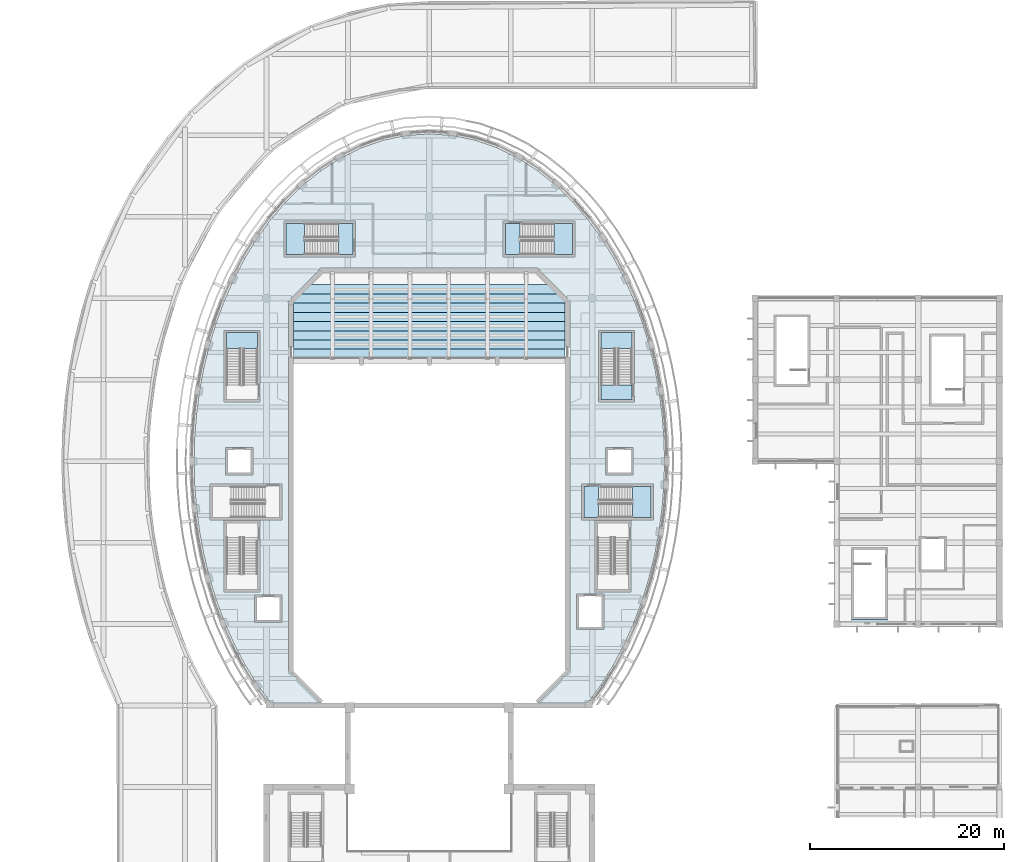
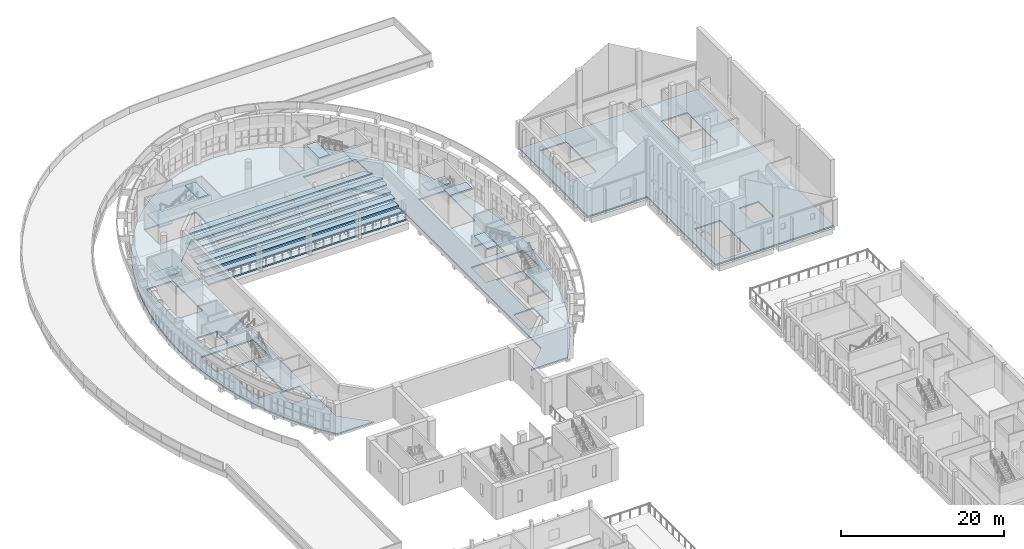
# One storey, part 7 of 79: 19 slabs, 5 elements without a shape of their own.
"""IFC4 building model written with IfcOpenShell, lengths in metres."""

from ifc_helpers import new_model, si_unit, direction, frame, origin, place, context, subcontext, project, spatial, polyline, outline, extrude, material, layer, layer_set, type_object, element, aggregate, save


model = new_model("IFC4")

# Units and contexts
model_context = context("Model", 3, precision=1e-05, world=origin(), true_north=direction((0.0, 1.0)))
body_context = subcontext(model_context, "Body", "Model", "MODEL_VIEW")
ifc_project = project(units=[si_unit("LENGTHUNIT", "METRE"), si_unit("AREAUNIT", "SQUARE_METRE"), si_unit("VOLUMEUNIT", "CUBIC_METRE"), si_unit("PLANEANGLEUNIT", "RADIAN"), si_unit("MASSUNIT", "GRAM", prefix="KILO")], contexts=[model_context])

# Site, building, storey
site_placement = place(None, origin())
site = spatial("IfcSite", under=ifc_project, at=site_placement, CompositionType="ELEMENT")
building_placement = place(site_placement, origin())
building = spatial("IfcBuilding", under=site, at=building_placement, Name="Larchfold Concert Hall", CompositionType="ELEMENT")
storey_placement = place(building_placement, frame((0.0, 0.0, 14.39990234375)))
storey = spatial("IfcBuildingStorey", under=building, at=storey_placement, Name="L03", CompositionType="ELEMENT", Elevation=14.39990234375)

# Slabs
ifc_material_1 = material(Name="Concrete C35/45", Category="concrete")
ifc_layer_1 = layer(ifc_material_1, 0.199951171875)
ifc_layer_set_1 = layer_set([ifc_layer_1], Name="Concrete C35/45")
slab_type_1 = type_object("IfcSlabType", Name="Slab 200", PredefinedType="FLOOR", material=ifc_layer_set_1)
slab_1_placement = place(storey_placement, frame((0.0, 0.0, -0.199951171875)))
element("IfcSlab", 1, at=slab_1_placement, inside=storey, type_object=slab_type_1, Name="Slab S0005", PredefinedType="FLOOR", context=body_context, shape_type="SweptSolid", body=[
    extrude(outline(polyline([(101.39990234375, 101.39990234375), (84.60009765625, 101.39990234375), (76.199951171875, 101.39990234375), (76.199951171875, 84.60009765625), (84.60009765625, 84.60009765625), (84.60009765625, 67.800048828125), (101.39990234375, 67.800048828125), (101.39990234375, 101.39990234375)]), holes=[polyline([(86.14990234375, 68.300048828125), (86.14990234375, 75.699951171875), (89.85009765625, 75.699951171875), (89.85009765625, 68.300048828125), (86.14990234375, 68.300048828125)]), polyline([(93.10009765625, 73.199951171875), (93.10009765625, 76.800048828125), (95.89990234375, 76.800048828125), (95.89990234375, 73.199951171875), (93.10009765625, 73.199951171875)]), polyline([(94.14990234375, 90.300048828125), (94.14990234375, 97.699951171875), (97.85009765625, 97.699951171875), (97.85009765625, 90.300048828125), (94.14990234375, 90.300048828125)]), polyline([(78.14990234375, 92.300048828125), (78.14990234375, 99.699951171875), (81.85009765625, 99.699951171875), (81.85009765625, 92.300048828125), (78.14990234375, 92.300048828125)])]), origin(), (0.0, 0.0, 1.0), 0.199951171875),
])
slab_2_placement = place(storey_placement, frame((0.0, 0.0, -0.199951171875)))
element("IfcSlab", 2, at=slab_2_placement, inside=storey, type_object=slab_type_1, Name="Slab S0007", PredefinedType="FLOOR", context=body_context, shape_type="SweptSolid", body=[
    extrude(outline(polyline([(24.913818359375, 61.515380859375), (26.27978515625, 59.64990234375), (31.45751953125, 59.64990234375), (28.078857421875, 63.02880859375), (28.070068359375, 101.10009765625), (31.478759765625, 104.521240234375), (53.699951171875, 104.530029296875), (57.121337890625, 101.121337890625), (57.130126953125, 63.050048828125), (53.742431640625, 59.64990234375), (58.92041015625, 59.64990234375), (60.286376953125, 61.515380859375), (61.56884765625, 63.580078125), (62.703125, 65.731201171875), (63.69287109375, 67.953369140625), (64.541748046875, 70.234375), (65.253662109375, 72.562255859375), (65.83203125, 74.927490234375), (66.27880859375, 77.321533203125), (66.5966796875, 79.736328125), (66.786865234375, 82.164794921875), (66.85009765625, 84.60009765625), (66.78759765625, 87.020263671875), (66.599853515625, 89.433837890625), (66.285888671875, 91.833984375), (65.844482421875, 94.2138671875), (65.273681640625, 96.5654296875), (64.570556640625, 98.88037109375), (63.732177734375, 101.149169921875), (62.75537109375, 103.360595703125), (61.635986328125, 105.502685546875), (60.3701171875, 107.5595703125), (58.953857421875, 109.514892578125), (57.384765625, 111.3466796875), (55.661376953125, 113.03173828125), (53.78564453125, 114.541748046875), (51.763671875, 115.844970703125), (49.60888671875, 116.907958984375), (47.34130859375, 117.697509765625), (44.992431640625, 118.1845703125), (42.60009765625, 118.349609375), (40.207763671875, 118.1845703125), (37.85888671875, 117.697509765625), (35.59130859375, 116.907958984375), (33.4365234375, 115.844970703125), (31.41455078125, 114.541748046875), (29.538818359375, 113.03173828125), (27.8154296875, 111.3466796875), (26.246337890625, 109.514892578125), (24.830078125, 107.5595703125), (23.564208984375, 105.502685546875), (22.44482421875, 103.360595703125), (21.468017578125, 101.149169921875), (20.629638671875, 98.88037109375), (19.926513671875, 96.5654296875), (19.355712890625, 94.2138671875), (18.914306640625, 91.833984375), (18.600341796875, 89.433837890625), (18.41259765625, 87.020263671875), (18.35009765625, 84.60009765625), (18.413330078125, 82.164794921875), (18.603515625, 79.736328125), (18.92138671875, 77.321533203125), (19.3681640625, 74.927490234375), (19.946533203125, 72.562255859375), (20.658447265625, 70.234375), (21.50732421875, 67.953369140625), (22.4970703125, 65.731201171875), (23.63134765625, 63.580078125), (24.913818359375, 61.515380859375)]), holes=[polyline([(24.60009765625, 70.800048828125), (27.39990234375, 70.800048828125), (27.39990234375, 68.0), (24.60009765625, 68.0), (24.60009765625, 70.800048828125)]), polyline([(25.14990234375, 78.5), (25.14990234375, 71.10009765625), (21.449951171875, 71.10009765625), (21.449951171875, 78.5), (25.14990234375, 78.5)]), polyline([(27.39990234375, 82.25), (27.39990234375, 78.550048828125), (20.0, 78.550048828125), (20.0, 82.25), (27.39990234375, 82.25)]), polyline([(21.60009765625, 86.0), (24.39990234375, 86.0), (24.39990234375, 83.199951171875), (21.60009765625, 83.199951171875), (21.60009765625, 86.0)]), polyline([(25.14990234375, 98.10009765625), (25.14990234375, 90.699951171875), (21.449951171875, 90.699951171875), (21.449951171875, 98.10009765625), (25.14990234375, 98.10009765625)]), polyline([(35.0, 109.35009765625), (35.0, 105.64990234375), (27.60009765625, 105.64990234375), (27.60009765625, 109.35009765625), (35.0, 109.35009765625)]), polyline([(57.800048828125, 70.89990234375), (60.60009765625, 70.89990234375), (60.60009765625, 67.300048828125), (57.800048828125, 67.300048828125), (57.800048828125, 70.89990234375)]), polyline([(63.39990234375, 78.5), (63.39990234375, 71.10009765625), (59.699951171875, 71.10009765625), (59.699951171875, 78.5), (63.39990234375, 78.5)]), polyline([(65.699951171875, 82.25), (65.699951171875, 78.550048828125), (58.300048828125, 78.550048828125), (58.300048828125, 82.25), (65.699951171875, 82.25)]), polyline([(60.800048828125, 86.0), (63.60009765625, 86.0), (63.60009765625, 83.199951171875), (60.800048828125, 83.199951171875), (60.800048828125, 86.0)]), polyline([(63.75, 98.10009765625), (63.75, 90.699951171875), (60.050048828125, 90.699951171875), (60.050048828125, 98.10009765625), (63.75, 98.10009765625)]), polyline([(57.60009765625, 109.35009765625), (57.60009765625, 105.64990234375), (50.199951171875, 105.64990234375), (50.199951171875, 109.35009765625), (57.60009765625, 109.35009765625)])]), origin(), (0.0, 0.0, 1.0), 0.199951171875),
])
ifc_material_2 = material(Name="Precast concrete C40/50", Category="concrete")
ifc_layer_2 = layer(ifc_material_2, 0.219970703125)
ifc_layer_set_2 = layer_set([ifc_layer_2], Name="Precast concrete C40/50")
slab_type_2 = type_object("IfcSlabType", Name="Slab 220 hall tier tread", PredefinedType="FLOOR", material=ifc_layer_set_2)
slab_3_placement = place(storey_placement, frame((0.0, 0.0, -0.219970703125)))
element("IfcSlab", 3, at=slab_3_placement, inside=storey, type_object=slab_type_2, Name="Tread T2-01", PredefinedType="FLOOR", context=body_context, shape_type="SweptSolid", body=[
    extrude(outline(polyline([(56.60009765625, 96.14990234375), (28.60009765625, 96.14990234375), (28.60009765625, 95.199951171875), (56.60009765625, 95.199951171875), (56.60009765625, 96.14990234375)])), origin(), (0.0, 0.0, 1.0), 0.219970703125),
])
slab_4_placement = place(storey_placement, frame((0.0, 0.0, 0.279052734375)))
element("IfcSlab", 4, at=slab_4_placement, inside=storey, type_object=slab_type_2, Name="Tread T2-02", PredefinedType="FLOOR", context=body_context, shape_type="SweptSolid", body=[
    extrude(outline(polyline([(56.60009765625, 97.10009765625), (28.60009765625, 97.10009765625), (28.60009765625, 96.14990234375), (56.60009765625, 96.14990234375), (56.60009765625, 97.10009765625)])), origin(), (0.0, 0.0, 1.0), 0.219970703125),
])
slab_5_placement = place(storey_placement, frame((0.0, 0.0, 0.656982421875)))
element("IfcSlab", 5, at=slab_5_placement, inside=storey, type_object=slab_type_2, Name="Tread T2-03", PredefinedType="FLOOR", context=body_context, shape_type="SweptSolid", body=[
    extrude(outline(polyline([(56.60009765625, 98.050048828125), (28.60009765625, 98.050048828125), (28.60009765625, 97.10009765625), (56.60009765625, 97.10009765625), (56.60009765625, 98.050048828125)])), origin(), (0.0, 0.0, 1.0), 0.22021484375),
])
slab_6_placement = place(storey_placement, frame((0.0, 0.0, 1.1650390625)))
element("IfcSlab", 6, at=slab_6_placement, inside=storey, type_object=slab_type_2, Name="Tread T2-04", PredefinedType="FLOOR", context=body_context, shape_type="SweptSolid", body=[
    extrude(outline(polyline([(56.60009765625, 99.0), (28.60009765625, 99.0), (28.60009765625, 98.050048828125), (56.60009765625, 98.050048828125), (56.60009765625, 99.0)])), origin(), (0.0, 0.0, 1.0), 0.219970703125),
])
slab_7_placement = place(storey_placement, frame((0.0, 0.0, 1.543212890625)))
element("IfcSlab", 7, at=slab_7_placement, inside=storey, type_object=slab_type_2, Name="Tread T2-05", PredefinedType="FLOOR", context=body_context, shape_type="SweptSolid", body=[
    extrude(outline(polyline([(56.60009765625, 99.949951171875), (28.60009765625, 99.949951171875), (28.60009765625, 99.0), (56.60009765625, 99.0), (56.60009765625, 99.949951171875)])), origin(), (0.0, 0.0, 1.0), 0.219970703125),
])
slab_8_placement = place(storey_placement, frame((0.0, 0.0, 2.06005859375)))
element("IfcSlab", 8, at=slab_8_placement, inside=storey, type_object=slab_type_2, Name="Tread T2-06", PredefinedType="FLOOR", context=body_context, shape_type="SweptSolid", body=[
    extrude(outline(polyline([(56.60009765625, 100.89990234375), (28.60009765625, 100.89990234375), (28.60009765625, 99.949951171875), (56.60009765625, 99.949951171875), (56.60009765625, 100.89990234375)])), origin(), (0.0, 0.0, 1.0), 0.219970703125),
])
slab_9_placement = place(storey_placement, frame((0.0, 0.0, 2.43701171875)))
element("IfcSlab", 9, at=slab_9_placement, inside=storey, type_object=slab_type_2, Name="Tread T2-07", PredefinedType="FLOOR", context=body_context, shape_type="SweptSolid", body=[
    extrude(outline(polyline([(55.75, 101.85009765625), (29.4501953125, 101.85009765625), (28.60009765625, 101.0), (28.60009765625, 100.89990234375), (56.60009765625, 100.89990234375), (56.60009765625, 101.0), (55.75, 101.85009765625)])), origin(), (0.0, 0.0, 1.0), 0.219970703125),
])
slab_10_placement = place(storey_placement, frame((0.0, 0.0, 2.963134765625)))
element("IfcSlab", 10, at=slab_10_placement, inside=storey, type_object=slab_type_2, Name="Tread T2-08", PredefinedType="FLOOR", context=body_context, shape_type="SweptSolid", body=[
    extrude(outline(polyline([(54.800048828125, 102.800048828125), (30.400146484375, 102.800048828125), (29.4501953125, 101.85009765625), (55.75, 101.85009765625), (54.800048828125, 102.800048828125)])), origin(), (0.0, 0.0, 1.0), 0.219970703125),
])

# Stair, slabs
ifc_material_3 = material(Name="Concrete C35/45", Category="concrete")
stair_type = type_object("IfcStairType", Name="Stair RC half-turn enclosed", PredefinedType="HALF_TURN_STAIR", material=ifc_material_3)
stair_1_placement = place(storey_placement, origin())
stair_1 = element("IfcStair", 11, at=stair_1_placement, inside=storey, type_object=stair_type, Name="Stair DS1", PredefinedType="HALF_TURN_STAIR")
ifc_material_4 = material(Name="Concrete C35/45", Category="concrete")
ifc_layer_3 = layer(ifc_material_4, 0.199951171875)
ifc_layer_set_3 = layer_set([ifc_layer_3], Name="Concrete C35/45")
slab_type_3 = type_object("IfcSlabType", Name="Stair landing RC 200", PredefinedType="LANDING", material=ifc_layer_set_3)
slab_11_placement = place(storey_placement, frame((0.0, 0.0, 2.2001953125)))
slab_11 = element("IfcSlab", 12, at=slab_11_placement, type_object=slab_type_3, Name="ST01 landing 1", PredefinedType="LANDING", context=body_context, shape_type="SweptSolid", body=[
    extrude(outline(polyline([(63.5, 96.22998046875), (63.5, 97.85009765625), (60.300048828125, 97.85009765625), (60.300048828125, 96.22998046875), (63.5, 96.22998046875)])), origin(), (0.0, 0.0, 1.0), 0.199951171875),
])
slab_12_placement = place(storey_placement, frame((0.0, 0.0, 4.60009765625)))
slab_12 = element("IfcSlab", 13, at=slab_12_placement, type_object=slab_type_3, Name="ST01 landing 2", PredefinedType="LANDING", context=body_context, shape_type="SweptSolid", body=[
    extrude(outline(polyline([(63.5, 90.949951171875), (63.5, 92.449951171875), (60.300048828125, 92.449951171875), (60.300048828125, 90.949951171875), (63.5, 90.949951171875)])), origin(), (0.0, 0.0, 1.0), 0.199951171875),
])
aggregate(stair_1, [slab_11, slab_12])

stair_2_placement = place(storey_placement, origin())
stair_2 = element("IfcStair", 14, at=stair_2_placement, inside=storey, type_object=stair_type, Name="Stair DS2", PredefinedType="HALF_TURN_STAIR")
slab_13_placement = place(storey_placement, frame((0.0, 0.0, 2.2001953125)))
slab_13 = element("IfcSlab", 15, at=slab_13_placement, type_object=slab_type_3, Name="ST02 landing 1", PredefinedType="LANDING", context=body_context, shape_type="SweptSolid", body=[
    extrude(outline(polyline([(55.4599609375, 105.89990234375), (57.35009765625, 105.89990234375), (57.35009765625, 109.099853515625), (55.4599609375, 109.099853515625), (55.4599609375, 105.89990234375)])), origin(), (0.0, 0.0, 1.0), 0.199951171875),
])
slab_14_placement = place(storey_placement, frame((0.0, 0.0, 4.60009765625)))
slab_14 = element("IfcSlab", 16, at=slab_14_placement, type_object=slab_type_3, Name="ST02 landing 2", PredefinedType="LANDING", context=body_context, shape_type="SweptSolid", body=[
    extrude(outline(polyline([(50.449951171875, 105.89990234375), (51.949951171875, 105.89990234375), (51.949951171875, 109.10009765625), (50.449951171875, 109.10009765625), (50.449951171875, 105.89990234375)])), origin(), (0.0, 0.0, 1.0), 0.199951171875),
])
aggregate(stair_2, [slab_13, slab_14])

stair_3_placement = place(storey_placement, origin())
stair_3 = element("IfcStair", 17, at=stair_3_placement, inside=storey, type_object=stair_type, Name="Stair DS3", PredefinedType="HALF_TURN_STAIR")
slab_15_placement = place(storey_placement, frame((0.0, 0.0, 2.2001953125)))
slab_15 = element("IfcSlab", 18, at=slab_15_placement, type_object=slab_type_3, Name="ST03 landing 1", PredefinedType="LANDING", context=body_context, shape_type="SweptSolid", body=[
    extrude(outline(polyline([(29.739990234375, 109.10009765625), (27.85009765625, 109.10009765625), (27.85009765625, 105.900146484375), (29.739990234375, 105.900146484375), (29.739990234375, 109.10009765625)])), origin(), (0.0, 0.0, 1.0), 0.199951171875),
])
slab_16_placement = place(storey_placement, frame((0.0, 0.0, 4.60009765625)))
slab_16 = element("IfcSlab", 19, at=slab_16_placement, type_object=slab_type_3, Name="ST03 landing 2", PredefinedType="LANDING", context=body_context, shape_type="SweptSolid", body=[
    extrude(outline(polyline([(34.75, 109.10009765625), (33.25, 109.10009765625), (33.25, 105.89990234375), (34.75, 105.89990234375), (34.75, 109.10009765625)])), origin(), (0.0, 0.0, 1.0), 0.199951171875),
])
aggregate(stair_3, [slab_15, slab_16])

# Stair, slab
stair_4_placement = place(storey_placement, origin())
stair_4 = element("IfcStair", 20, at=stair_4_placement, inside=storey, type_object=stair_type, Name="Stair DS4", PredefinedType="HALF_TURN_STAIR")
slab_17_placement = place(storey_placement, frame((0.0, 0.0, 2.2001953125)))
slab_17 = element("IfcSlab", 21, at=slab_17_placement, type_object=slab_type_3, Name="ST04 landing 1", PredefinedType="LANDING", context=body_context, shape_type="SweptSolid", body=[
    extrude(outline(polyline([(24.89990234375, 96.22998046875), (24.89990234375, 97.85009765625), (21.699951171875, 97.85009765625), (21.699951171875, 96.22998046875), (24.89990234375, 96.22998046875)])), origin(), (0.0, 0.0, 1.0), 0.199951171875),
])
aggregate(stair_4, [slab_17])

# Stair, slabs
stair_5_placement = place(storey_placement, origin())
stair_5 = element("IfcStair", 22, at=stair_5_placement, inside=storey, type_object=stair_type, Name="Stair DS8", PredefinedType="HALF_TURN_STAIR")
slab_18_placement = place(storey_placement, frame((0.0, 0.0, 2.2001953125)))
slab_18 = element("IfcSlab", 23, at=slab_18_placement, type_object=slab_type_3, Name="ST08 landing 1", PredefinedType="LANDING", context=body_context, shape_type="SweptSolid", body=[
    extrude(outline(polyline([(63.56005859375, 78.800048828125), (65.449951171875, 78.800048828125), (65.449951171875, 82.0), (63.56005859375, 82.0), (63.56005859375, 78.800048828125)])), origin(), (0.0, 0.0, 1.0), 0.199951171875),
])
slab_19_placement = place(storey_placement, frame((0.0, 0.0, 4.60009765625)))
slab_19 = element("IfcSlab", 24, at=slab_19_placement, type_object=slab_type_3, Name="ST08 landing 2", PredefinedType="LANDING", context=body_context, shape_type="SweptSolid", body=[
    extrude(outline(polyline([(58.550048828125, 78.800048828125), (60.050048828125, 78.800048828125), (60.050048828125, 82.0), (58.550048828125, 82.0), (58.550048828125, 78.800048828125)])), origin(), (0.0, 0.0, 1.0), 0.199951171875),
])
aggregate(stair_5, [slab_18, slab_19])

save(model, "model.ifc")
